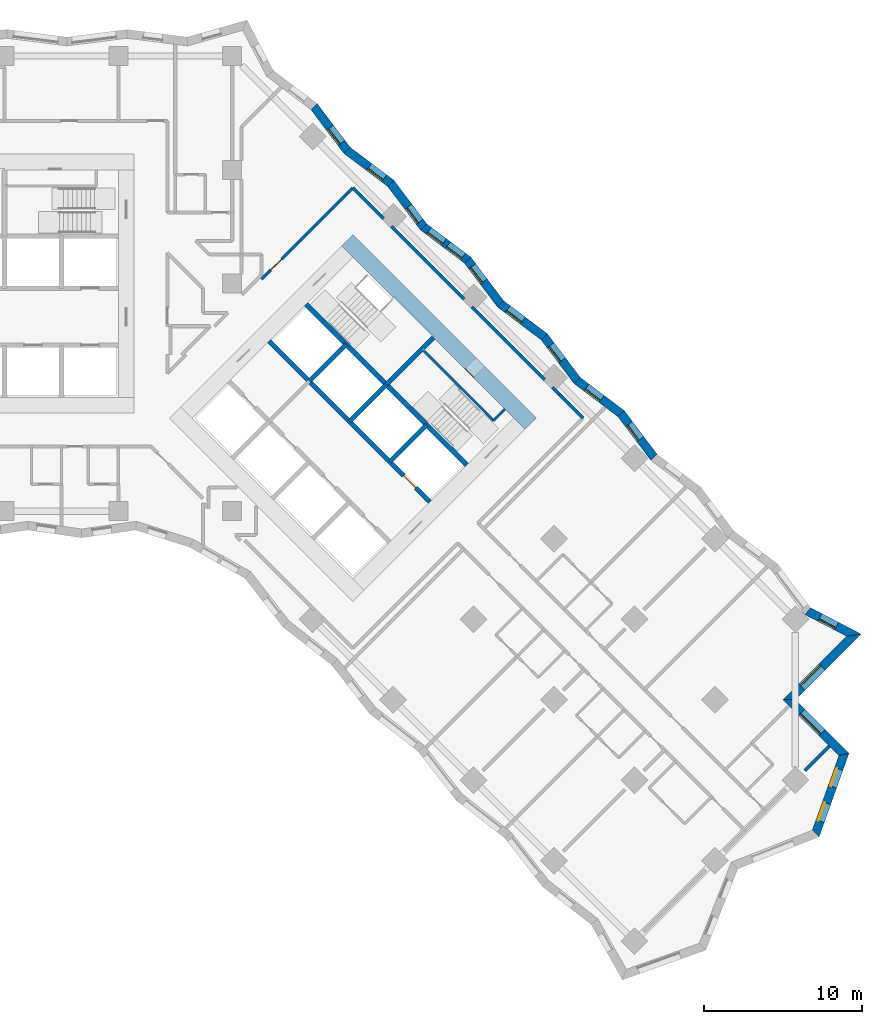
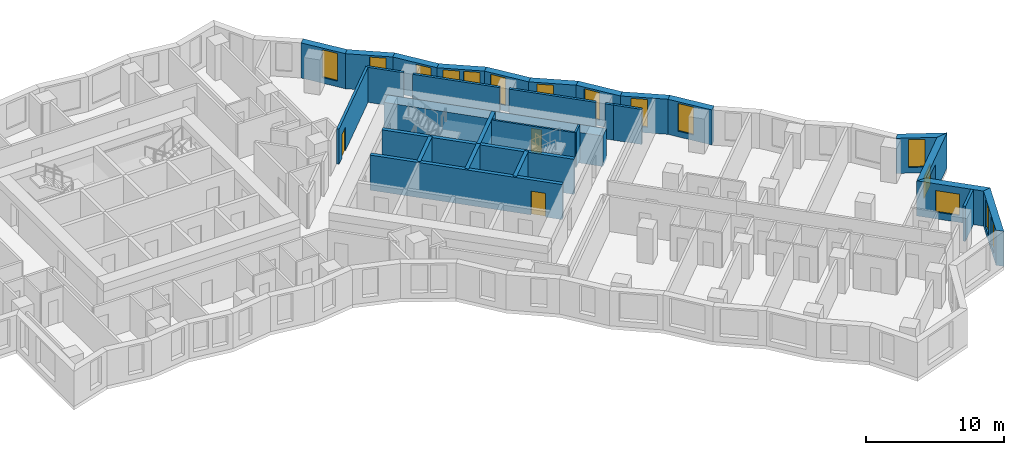
# One storey, part 9 of 12: 30 walls, 15 windows, 3 doors, 18 openings.
"""IFC4 building model written with IfcOpenShell, lengths in metres."""

from ifc_helpers import new_model, si_unit, direction, frame, frame_2d, origin, place, context, subcontext, project, spatial, polyline, rectangle, outline, extrude, material, layer, layer_set, type_object, element, fill, save


model = new_model("IFC4")

# Units and contexts
model_context = context("Model", 3, precision=1e-05, world=origin(), true_north=direction((0.0, 1.0)))
body_context = subcontext(model_context, "Body", "Model", "MODEL_VIEW")
ifc_project = project(units=[si_unit("LENGTHUNIT", "METRE"), si_unit("AREAUNIT", "SQUARE_METRE"), si_unit("VOLUMEUNIT", "CUBIC_METRE"), si_unit("PLANEANGLEUNIT", "RADIAN"), si_unit("MASSUNIT", "GRAM", prefix="KILO")], contexts=[model_context])

# Site, building, storey
site_placement = place(None, origin())
site = spatial("IfcSite", under=ifc_project, at=site_placement, CompositionType="ELEMENT")
building_placement = place(site_placement, origin())
building = spatial("IfcBuilding", under=site, at=building_placement, Name="Windrow Commons", CompositionType="ELEMENT")
storey_placement = place(building_placement, frame((0.0, 0.0, 47.4)))
storey = spatial("IfcBuildingStorey", under=building, at=storey_placement, Name="L12", CompositionType="ELEMENT", Elevation=47.4)

# Wall, openings, windows
ifc_material_1 = material(Name="Brick masonry, red clay brick", Category="masonry")
ifc_layer_1 = layer(ifc_material_1, 0.55)
ifc_layer_set_1 = layer_set([ifc_layer_1], Name="Brick facade wall 550")
wall_type_1 = type_object("IfcWallType", Name="Brick facade wall 550", PredefinedType="SOLIDWALL", material=ifc_layer_set_1)
wall_1_placement = place(storey_placement, frame((116.127, 22.8041, 0.0), z_axis=(0.0, 0.0, 1.0), x_axis=(0.3366083403, 0.9416447447, 0.0)))
wall_1 = element("IfcWall", 1, at=wall_1_placement, inside=storey, type_object=wall_type_1, Name="Brick facade wall L12 4", PredefinedType="SOLIDWALL", context=body_context, shape_type="SweptSolid", body=[
    extrude(outline(polyline([(-0.1247, -0.275), (5.4851, -0.275), (5.1369, 0.275), (0.1247, 0.275), (-0.1247, -0.275)])), origin(), (0.0, 0.0, 1.0), 3.1),
])
opening_1_placement = place(wall_1_placement, frame((0.8346, 0.0, 0.5)))
opening_1 = element("IfcOpeningElement", 2, at=opening_1_placement, cuts=wall_1, Name="Opening W7D", PredefinedType="OPENING", context=body_context, shape_type="SweptSolid", body=[
    extrude(rectangle(XDim=1.2, YDim=2.45, at=frame_2d((0.6, 1.225))), frame((0.0, 0.285, 0.0), z_axis=(0.0, -1.0, 0.0), x_axis=(1.0, 0.0, 0.0)), (0.0, 0.0, 1.0), 0.57),
])
opening_2_placement = place(wall_1_placement, frame((3.1407, 0.0, 0.5)))
opening_2 = element("IfcOpeningElement", 3, at=opening_2_placement, cuts=wall_1, Name="Opening W7D", PredefinedType="OPENING", context=body_context, shape_type="SweptSolid", body=[
    extrude(rectangle(XDim=1.2, YDim=2.45, at=frame_2d((0.6, 1.225))), frame((0.0, 0.285, 0.0), z_axis=(0.0, -1.0, 0.0), x_axis=(1.0, 0.0, 0.0)), (0.0, 0.0, 1.0), 0.57),
])
ifc_material_2 = material(Name="Clear float glass in anodised aluminium frame", Category="aluminium")
window_type_1 = type_object("IfcWindowType", Name="Window W7 notch 1200x2450", PartitioningType="SINGLE_PANEL", PredefinedType="WINDOW", material=ifc_material_2)
window_1_placement = place(opening_1_placement, origin())
window_1 = element("IfcWindow", 4, at=window_1_placement, inside=storey, type_object=window_type_1, Name="Window L12 4.1", OverallHeight=2.45, OverallWidth=1.2, PartitioningType="SINGLE_PANEL", PredefinedType="WINDOW", context=body_context, shape_type="SweptSolid", body=[
    extrude(rectangle(XDim=1.2, YDim=2.45, at=frame_2d((0.6, 1.225))), frame((0.0, 0.155, 0.0), z_axis=(0.0, -1.0, 0.0), x_axis=(1.0, 0.0, 0.0)), (0.0, 0.0, 1.0), 0.06),
])
fill(opening_1, window_1)
window_2_placement = place(opening_2_placement, origin())
window_2 = element("IfcWindow", 5, at=window_2_placement, inside=storey, type_object=window_type_1, Name="Window L12 4.2", OverallHeight=2.45, OverallWidth=1.2, PartitioningType="SINGLE_PANEL", PredefinedType="WINDOW", context=body_context, shape_type="SweptSolid", body=[
    extrude(rectangle(XDim=1.2, YDim=2.45, at=frame_2d((0.6, 1.225))), frame((0.0, 0.155, 0.0), z_axis=(0.0, -1.0, 0.0), x_axis=(1.0, 0.0, 0.0)), (0.0, 0.0, 1.0), 0.06),
])
fill(opening_2, window_2)

# Wall, opening, window
wall_2_placement = place(storey_placement, frame((117.9147, 27.8051, 0.0), z_axis=(0.0, 0.0, 1.0), x_axis=(-0.7070965789, 0.7071169833, 0.0)))
wall_2 = element("IfcWall", 6, at=wall_2_placement, inside=storey, type_object=wall_type_1, Name="Brick facade wall L12 5", PredefinedType="SOLIDWALL", context=body_context, shape_type="SweptSolid", body=[
    extrude(outline(polyline([(-0.1741, -0.275), (4.6259, -0.275), (5.1759, 0.275), (0.1741, 0.275), (-0.1741, -0.275)])), origin(), (0.0, 0.0, 1.0), 3.1),
])
opening_3_placement = place(wall_2_placement, frame((1.9634, 0.0, 0.6)))
opening_3 = element("IfcOpeningElement", 7, at=opening_3_placement, cuts=wall_2, Name="Opening W1L", PredefinedType="OPENING", context=body_context, shape_type="SweptSolid", body=[
    extrude(rectangle(XDim=1.8, YDim=1.9, at=frame_2d((0.9, 0.95))), frame((0.0, 0.285, 0.0), z_axis=(0.0, -1.0, 0.0), x_axis=(1.0, 0.0, 0.0)), (0.0, 0.0, 1.0), 0.57),
])
ifc_material_3 = material(Name="Clear float glass in anodised aluminium frame", Category="aluminium")
window_type_2 = type_object("IfcWindowType", Name="Window W1L bedroom 1800x1900", PartitioningType="SINGLE_PANEL", PredefinedType="WINDOW", material=ifc_material_3)
window_3_placement = place(opening_3_placement, origin())
window_3 = element("IfcWindow", 8, at=window_3_placement, inside=storey, type_object=window_type_2, Name="Window L12 5.1", OverallHeight=1.9, OverallWidth=1.8, PartitioningType="SINGLE_PANEL", PredefinedType="WINDOW", context=body_context, shape_type="SweptSolid", body=[
    extrude(rectangle(XDim=1.8, YDim=1.9, at=frame_2d((0.9, 0.95))), frame((0.0, 0.155, 0.0), z_axis=(0.0, -1.0, 0.0), x_axis=(1.0, 0.0, 0.0)), (0.0, 0.0, 1.0), 0.06),
])
fill(opening_3, window_3)

wall_3_placement = place(storey_placement, frame((114.4493, 31.2706, 0.0), z_axis=(0.0, 0.0, 1.0), x_axis=(0.7070981337, 0.7071154285, 0.0)))
wall_3 = element("IfcWall", 9, at=wall_3_placement, inside=storey, type_object=wall_type_1, Name="Brick facade wall L12 6", PredefinedType="SOLIDWALL", context=body_context, shape_type="SweptSolid", body=[
    extrude(outline(polyline([(0.275, -0.275), (6.157, -0.275), (5.4071, 0.275), (-0.275, 0.275), (0.275, -0.275)])), origin(), (0.0, 0.0, 1.0), 3.1),
])
opening_4_placement = place(wall_3_placement, frame((1.1375, 0.0, 0.6)))
opening_4 = element("IfcOpeningElement", 10, at=opening_4_placement, cuts=wall_3, Name="Opening W1L", PredefinedType="OPENING", context=body_context, shape_type="SweptSolid", body=[
    extrude(rectangle(XDim=1.8, YDim=1.9, at=frame_2d((0.9, 0.95))), frame((0.0, 0.285, 0.0), z_axis=(0.0, -1.0, 0.0), x_axis=(1.0, 0.0, 0.0)), (0.0, 0.0, 1.0), 0.57),
])
window_4_placement = place(opening_4_placement, origin())
window_4 = element("IfcWindow", 11, at=window_4_placement, inside=storey, type_object=window_type_2, Name="Window L12 6.1", OverallHeight=1.9, OverallWidth=1.8, PartitioningType="SINGLE_PANEL", PredefinedType="WINDOW", context=body_context, shape_type="SweptSolid", body=[
    extrude(rectangle(XDim=1.8, YDim=1.9, at=frame_2d((0.9, 0.95))), frame((0.0, 0.155, 0.0), z_axis=(0.0, -1.0, 0.0), x_axis=(1.0, 0.0, 0.0)), (0.0, 0.0, 1.0), 0.06),
])
fill(opening_4, window_4)

wall_4_placement = place(storey_placement, frame((118.5378, 35.3592, 0.0), z_axis=(0.0, 0.0, 1.0), x_axis=(-0.8869138246, 0.4619349173, 0.0)))
wall_4 = element("IfcWall", 12, at=wall_4_placement, inside=storey, type_object=wall_type_1, Name="Brick facade wall L12 7", PredefinedType="SOLIDWALL", context=body_context, shape_type="SweptSolid", body=[
    extrude(outline(polyline([(-0.375, -0.275), (3.2255, -0.275), (3.3499, 0.275), (0.375, 0.275), (-0.375, -0.275)])), origin(), (0.0, 0.0, 1.0), 3.1),
])
opening_5_placement = place(wall_4_placement, frame((1.2313, 0.0, 0.5)))
opening_5 = element("IfcOpeningElement", 13, at=opening_5_placement, cuts=wall_4, Name="Opening W7D", PredefinedType="OPENING", context=body_context, shape_type="SweptSolid", body=[
    extrude(rectangle(XDim=1.2, YDim=2.45, at=frame_2d((0.6, 1.225))), frame((0.0, 0.285, 0.0), z_axis=(0.0, -1.0, 0.0), x_axis=(1.0, 0.0, 0.0)), (0.0, 0.0, 1.0), 0.57),
])
window_5_placement = place(opening_5_placement, origin())
window_5 = element("IfcWindow", 14, at=window_5_placement, inside=storey, type_object=window_type_1, Name="Window L12 7.1", OverallHeight=2.45, OverallWidth=1.2, PartitioningType="SINGLE_PANEL", PredefinedType="WINDOW", context=body_context, shape_type="SweptSolid", body=[
    extrude(rectangle(XDim=1.2, YDim=2.45, at=frame_2d((0.6, 1.225))), frame((0.0, 0.155, 0.0), z_axis=(0.0, -1.0, 0.0), x_axis=(1.0, 0.0, 0.0)), (0.0, 0.0, 1.0), 0.06),
])
fill(opening_5, window_5)

wall_5_placement = place(storey_placement, frame((105.8946, 46.6097, 0.0), z_axis=(0.0, 0.0, 1.0), x_axis=(-0.6019499233, 0.7985338376, 0.0)))
wall_5 = element("IfcWall", 15, at=wall_5_placement, inside=storey, type_object=wall_type_1, Name="Brick facade wall L12 12", PredefinedType="SOLIDWALL", context=body_context, shape_type="SweptSolid", body=[
    extrude(outline(polyline([(0.0386, -0.275), (3.5063, -0.275), (3.4291, 0.275), (-0.0386, 0.275), (0.0386, -0.275)])), origin(), (0.0, 0.0, 1.0), 3.1),
])
opening_6_placement = place(wall_5_placement, frame((1.4334, 0.0, 0.5)))
opening_6 = element("IfcOpeningElement", 16, at=opening_6_placement, cuts=wall_5, Name="Opening W7D", PredefinedType="OPENING", context=body_context, shape_type="SweptSolid", body=[
    extrude(rectangle(XDim=1.2, YDim=2.45, at=frame_2d((0.6, 1.225))), frame((0.0, 0.285, 0.0), z_axis=(0.0, -1.0, 0.0), x_axis=(1.0, 0.0, 0.0)), (0.0, 0.0, 1.0), 0.57),
])
window_6_placement = place(opening_6_placement, origin())
window_6 = element("IfcWindow", 17, at=window_6_placement, inside=storey, type_object=window_type_1, Name="Window L12 12.1", OverallHeight=2.45, OverallWidth=1.2, PartitioningType="SINGLE_PANEL", PredefinedType="WINDOW", context=body_context, shape_type="SweptSolid", body=[
    extrude(rectangle(XDim=1.2, YDim=2.45, at=frame_2d((0.6, 1.225))), frame((0.0, 0.155, 0.0), z_axis=(0.0, -1.0, 0.0), x_axis=(1.0, 0.0, 0.0)), (0.0, 0.0, 1.0), 0.06),
])
fill(opening_6, window_6)

wall_6_placement = place(storey_placement, frame((103.8072, 49.3788, 0.0), z_axis=(0.0, 0.0, 1.0), x_axis=(-0.7985338376, 0.6019499233, 0.0)))
wall_6 = element("IfcWall", 18, at=wall_6_placement, inside=storey, type_object=wall_type_1, Name="Brick facade wall L12 13", PredefinedType="SOLIDWALL", context=body_context, shape_type="SweptSolid", body=[
    extrude(outline(polyline([(-0.0386, -0.275), (3.4291, -0.275), (3.5063, 0.275), (0.0386, 0.275), (-0.0386, -0.275)])), origin(), (0.0, 0.0, 1.0), 3.1),
])
opening_7_placement = place(wall_6_placement, frame((1.5365, 0.0, 0.5)))
opening_7 = element("IfcOpeningElement", 19, at=opening_7_placement, cuts=wall_6, Name="Opening W7D", PredefinedType="OPENING", context=body_context, shape_type="SweptSolid", body=[
    extrude(rectangle(XDim=1.2, YDim=2.45, at=frame_2d((0.6, 1.225))), frame((0.0, 0.285, 0.0), z_axis=(0.0, -1.0, 0.0), x_axis=(1.0, 0.0, 0.0)), (0.0, 0.0, 1.0), 0.57),
])
window_7_placement = place(opening_7_placement, origin())
window_7 = element("IfcWindow", 20, at=window_7_placement, inside=storey, type_object=window_type_1, Name="Window L12 13.1", OverallHeight=2.45, OverallWidth=1.2, PartitioningType="SINGLE_PANEL", PredefinedType="WINDOW", context=body_context, shape_type="SweptSolid", body=[
    extrude(rectangle(XDim=1.2, YDim=2.45, at=frame_2d((0.6, 1.225))), frame((0.0, 0.155, 0.0), z_axis=(0.0, -1.0, 0.0), x_axis=(1.0, 0.0, 0.0)), (0.0, 0.0, 1.0), 0.06),
])
fill(opening_7, window_7)

wall_7_placement = place(storey_placement, frame((101.0381, 51.4662, 0.0), z_axis=(0.0, 0.0, 1.0), x_axis=(-0.6019499233, 0.7985338376, 0.0)))
wall_7 = element("IfcWall", 21, at=wall_7_placement, inside=storey, type_object=wall_type_1, Name="Brick facade wall L12 14", PredefinedType="SOLIDWALL", context=body_context, shape_type="SweptSolid", body=[
    extrude(outline(polyline([(0.0386, -0.275), (3.5063, -0.275), (3.4291, 0.275), (-0.0386, 0.275), (0.0386, -0.275)])), origin(), (0.0, 0.0, 1.0), 3.1),
])
opening_8_placement = place(wall_7_placement, frame((1.601, 0.0, 0.5)))
opening_8 = element("IfcOpeningElement", 22, at=opening_8_placement, cuts=wall_7, Name="Opening W7D", PredefinedType="OPENING", context=body_context, shape_type="SweptSolid", body=[
    extrude(rectangle(XDim=1.2, YDim=2.45, at=frame_2d((0.6, 1.225))), frame((0.0, 0.285, 0.0), z_axis=(0.0, -1.0, 0.0), x_axis=(1.0, 0.0, 0.0)), (0.0, 0.0, 1.0), 0.57),
])
window_8_placement = place(opening_8_placement, origin())
window_8 = element("IfcWindow", 23, at=window_8_placement, inside=storey, type_object=window_type_1, Name="Window L12 14.1", OverallHeight=2.45, OverallWidth=1.2, PartitioningType="SINGLE_PANEL", PredefinedType="WINDOW", context=body_context, shape_type="SweptSolid", body=[
    extrude(rectangle(XDim=1.2, YDim=2.45, at=frame_2d((0.6, 1.225))), frame((0.0, 0.155, 0.0), z_axis=(0.0, -1.0, 0.0), x_axis=(1.0, 0.0, 0.0)), (0.0, 0.0, 1.0), 0.06),
])
fill(opening_8, window_8)

wall_8_placement = place(storey_placement, frame((98.9507, 54.2353, 0.0), z_axis=(0.0, 0.0, 1.0), x_axis=(-0.7985199762, 0.6019683111, 0.0)))
wall_8 = element("IfcWall", 24, at=wall_8_placement, inside=storey, type_object=wall_type_1, Name="Brick facade wall L12 15", PredefinedType="SOLIDWALL", context=body_context, shape_type="SweptSolid", body=[
    extrude(outline(polyline([(-0.0386, -0.275), (3.4291, -0.275), (3.5063, 0.275), (0.0386, 0.275), (-0.0386, -0.275)])), origin(), (0.0, 0.0, 1.0), 3.1),
])
opening_9_placement = place(wall_8_placement, frame((1.7041, 0.0, 0.5)))
opening_9 = element("IfcOpeningElement", 25, at=opening_9_placement, cuts=wall_8, Name="Opening W7D", PredefinedType="OPENING", context=body_context, shape_type="SweptSolid", body=[
    extrude(rectangle(XDim=1.2, YDim=2.45, at=frame_2d((0.6, 1.225))), frame((0.0, 0.285, 0.0), z_axis=(0.0, -1.0, 0.0), x_axis=(1.0, 0.0, 0.0)), (0.0, 0.0, 1.0), 0.57),
])
window_9_placement = place(opening_9_placement, origin())
window_9 = element("IfcWindow", 26, at=window_9_placement, inside=storey, type_object=window_type_1, Name="Window L12 15.1", OverallHeight=2.45, OverallWidth=1.2, PartitioningType="SINGLE_PANEL", PredefinedType="WINDOW", context=body_context, shape_type="SweptSolid", body=[
    extrude(rectangle(XDim=1.2, YDim=2.45, at=frame_2d((0.6, 1.225))), frame((0.0, 0.155, 0.0), z_axis=(0.0, -1.0, 0.0), x_axis=(1.0, 0.0, 0.0)), (0.0, 0.0, 1.0), 0.06),
])
fill(opening_9, window_9)

wall_9_placement = place(storey_placement, frame((96.1816, 56.3228, 0.0), z_axis=(0.0, 0.0, 1.0), x_axis=(-0.601963785, 0.7985233882, 0.0)))
wall_9 = element("IfcWall", 27, at=wall_9_placement, inside=storey, type_object=wall_type_1, Name="Brick facade wall L12 16", PredefinedType="SOLIDWALL", context=body_context, shape_type="SweptSolid", body=[
    extrude(outline(polyline([(0.0386, -0.275), (3.5063, -0.275), (3.4291, 0.275), (-0.0386, 0.275), (0.0386, -0.275)])), origin(), (0.0, 0.0, 1.0), 3.1),
])
opening_10_placement = place(wall_9_placement, frame((1.7685, 0.0, 0.5)))
opening_10 = element("IfcOpeningElement", 28, at=opening_10_placement, cuts=wall_9, Name="Opening W7D", PredefinedType="OPENING", context=body_context, shape_type="SweptSolid", body=[
    extrude(rectangle(XDim=1.2, YDim=2.45, at=frame_2d((0.6, 1.225))), frame((0.0, 0.285, 0.0), z_axis=(0.0, -1.0, 0.0), x_axis=(1.0, 0.0, 0.0)), (0.0, 0.0, 1.0), 0.57),
])
window_10_placement = place(opening_10_placement, origin())
window_10 = element("IfcWindow", 29, at=window_10_placement, inside=storey, type_object=window_type_1, Name="Window L12 16.1", OverallHeight=2.45, OverallWidth=1.2, PartitioningType="SINGLE_PANEL", PredefinedType="WINDOW", context=body_context, shape_type="SweptSolid", body=[
    extrude(rectangle(XDim=1.2, YDim=2.45, at=frame_2d((0.6, 1.225))), frame((0.0, 0.155, 0.0), z_axis=(0.0, -1.0, 0.0), x_axis=(1.0, 0.0, 0.0)), (0.0, 0.0, 1.0), 0.06),
])
fill(opening_10, window_10)

# Wall, openings, windows
wall_10_placement = place(storey_placement, frame((94.0942, 59.0918, 0.0), z_axis=(0.0, 0.0, 1.0), x_axis=(-0.7985199762, 0.6019683111, 0.0)))
wall_10 = element("IfcWall", 30, at=wall_10_placement, inside=storey, type_object=wall_type_1, Name="Brick facade wall L12 17", PredefinedType="SOLIDWALL", context=body_context, shape_type="SweptSolid", body=[
    extrude(outline(polyline([(-0.0386, -0.275), (3.4291, -0.275), (3.5063, 0.275), (0.0386, 0.275), (-0.0386, -0.275)])), origin(), (0.0, 0.0, 1.0), 3.1),
])
opening_11_placement = place(wall_10_placement, frame((0.357, 0.0, 0.5)))
opening_11 = element("IfcOpeningElement", 31, at=opening_11_placement, cuts=wall_10, Name="Opening W7D", PredefinedType="OPENING", context=body_context, shape_type="SweptSolid", body=[
    extrude(rectangle(XDim=1.2, YDim=2.45, at=frame_2d((0.6, 1.225))), frame((0.0, 0.285, 0.0), z_axis=(0.0, -1.0, 0.0), x_axis=(1.0, 0.0, 0.0)), (0.0, 0.0, 1.0), 0.57),
])
opening_12_placement = place(wall_10_placement, frame((1.8716, 0.0, 0.5)))
opening_12 = element("IfcOpeningElement", 32, at=opening_12_placement, cuts=wall_10, Name="Opening W7D", PredefinedType="OPENING", context=body_context, shape_type="SweptSolid", body=[
    extrude(rectangle(XDim=1.2, YDim=2.45, at=frame_2d((0.6, 1.225))), frame((0.0, 0.285, 0.0), z_axis=(0.0, -1.0, 0.0), x_axis=(1.0, 0.0, 0.0)), (0.0, 0.0, 1.0), 0.57),
])
window_11_placement = place(opening_11_placement, origin())
window_11 = element("IfcWindow", 33, at=window_11_placement, inside=storey, type_object=window_type_1, Name="Window L12 17.1", OverallHeight=2.45, OverallWidth=1.2, PartitioningType="SINGLE_PANEL", PredefinedType="WINDOW", context=body_context, shape_type="SweptSolid", body=[
    extrude(rectangle(XDim=1.2, YDim=2.45, at=frame_2d((0.6, 1.225))), frame((0.0, 0.155, 0.0), z_axis=(0.0, -1.0, 0.0), x_axis=(1.0, 0.0, 0.0)), (0.0, 0.0, 1.0), 0.06),
])
fill(opening_11, window_11)
window_12_placement = place(opening_12_placement, origin())
window_12 = element("IfcWindow", 34, at=window_12_placement, inside=storey, type_object=window_type_1, Name="Window L12 17.2", OverallHeight=2.45, OverallWidth=1.2, PartitioningType="SINGLE_PANEL", PredefinedType="WINDOW", context=body_context, shape_type="SweptSolid", body=[
    extrude(rectangle(XDim=1.2, YDim=2.45, at=frame_2d((0.6, 1.225))), frame((0.0, 0.155, 0.0), z_axis=(0.0, -1.0, 0.0), x_axis=(1.0, 0.0, 0.0)), (0.0, 0.0, 1.0), 0.06),
])
fill(opening_12, window_12)

# Wall, opening, window
wall_11_placement = place(storey_placement, frame((91.3251, 61.1793, 0.0), z_axis=(0.0, 0.0, 1.0), x_axis=(-0.6019499233, 0.7985338376, 0.0)))
wall_11 = element("IfcWall", 35, at=wall_11_placement, inside=storey, type_object=wall_type_1, Name="Brick facade wall L12 18", PredefinedType="SOLIDWALL", context=body_context, shape_type="SweptSolid", body=[
    extrude(outline(polyline([(0.0386, -0.275), (3.5063, -0.275), (3.4291, 0.275), (-0.0386, 0.275), (0.0386, -0.275)])), origin(), (0.0, 0.0, 1.0), 3.1),
])
opening_13_placement = place(wall_11_placement, frame((0.4215, 0.0, 0.5)))
opening_13 = element("IfcOpeningElement", 36, at=opening_13_placement, cuts=wall_11, Name="Opening W7D", PredefinedType="OPENING", context=body_context, shape_type="SweptSolid", body=[
    extrude(rectangle(XDim=1.2, YDim=2.45, at=frame_2d((0.6, 1.225))), frame((0.0, 0.285, 0.0), z_axis=(0.0, -1.0, 0.0), x_axis=(1.0, 0.0, 0.0)), (0.0, 0.0, 1.0), 0.57),
])
window_13_placement = place(opening_13_placement, origin())
window_13 = element("IfcWindow", 37, at=window_13_placement, inside=storey, type_object=window_type_1, Name="Window L12 18.1", OverallHeight=2.45, OverallWidth=1.2, PartitioningType="SINGLE_PANEL", PredefinedType="WINDOW", context=body_context, shape_type="SweptSolid", body=[
    extrude(rectangle(XDim=1.2, YDim=2.45, at=frame_2d((0.6, 1.225))), frame((0.0, 0.155, 0.0), z_axis=(0.0, -1.0, 0.0), x_axis=(1.0, 0.0, 0.0)), (0.0, 0.0, 1.0), 0.06),
])
fill(opening_13, window_13)

wall_12_placement = place(storey_placement, frame((89.2377, 63.9484, 0.0), z_axis=(0.0, 0.0, 1.0), x_axis=(-0.7985338376, 0.6019499233, 0.0)))
wall_12 = element("IfcWall", 38, at=wall_12_placement, inside=storey, type_object=wall_type_1, Name="Brick facade wall L12 19", PredefinedType="SOLIDWALL", context=body_context, shape_type="SweptSolid", body=[
    extrude(outline(polyline([(-0.0386, -0.275), (3.4291, -0.275), (3.5063, 0.275), (0.0386, 0.275), (-0.0386, -0.275)])), origin(), (0.0, 0.0, 1.0), 3.1),
])
opening_14_placement = place(wall_12_placement, frame((0.5246, 0.0, 0.5)))
opening_14 = element("IfcOpeningElement", 39, at=opening_14_placement, cuts=wall_12, Name="Opening W7D", PredefinedType="OPENING", context=body_context, shape_type="SweptSolid", body=[
    extrude(rectangle(XDim=1.2, YDim=2.45, at=frame_2d((0.6, 1.225))), frame((0.0, 0.285, 0.0), z_axis=(0.0, -1.0, 0.0), x_axis=(1.0, 0.0, 0.0)), (0.0, 0.0, 1.0), 0.57),
])
window_14_placement = place(opening_14_placement, origin())
window_14 = element("IfcWindow", 40, at=window_14_placement, inside=storey, type_object=window_type_1, Name="Window L12 19.1", OverallHeight=2.45, OverallWidth=1.2, PartitioningType="SINGLE_PANEL", PredefinedType="WINDOW", context=body_context, shape_type="SweptSolid", body=[
    extrude(rectangle(XDim=1.2, YDim=2.45, at=frame_2d((0.6, 1.225))), frame((0.0, 0.155, 0.0), z_axis=(0.0, -1.0, 0.0), x_axis=(1.0, 0.0, 0.0)), (0.0, 0.0, 1.0), 0.06),
])
fill(opening_14, window_14)

wall_13_placement = place(storey_placement, frame((86.4686, 66.0358, 0.0), z_axis=(0.0, 0.0, 1.0), x_axis=(-0.6019499233, 0.7985338376, 0.0)))
wall_13 = element("IfcWall", 41, at=wall_13_placement, inside=storey, type_object=wall_type_1, Name="Brick facade wall L12 20", PredefinedType="SOLIDWALL", context=body_context, shape_type="SweptSolid", body=[
    extrude(outline(polyline([(0.0386, -0.275), (3.5063, -0.275), (3.4291, 0.275), (-0.0386, 0.275), (0.0386, -0.275)])), origin(), (0.0, 0.0, 1.0), 3.1),
])
opening_15_placement = place(wall_13_placement, frame((0.5891, 0.0, 0.5)))
opening_15 = element("IfcOpeningElement", 42, at=opening_15_placement, cuts=wall_13, Name="Opening W7D", PredefinedType="OPENING", context=body_context, shape_type="SweptSolid", body=[
    extrude(rectangle(XDim=1.2, YDim=2.45, at=frame_2d((0.6, 1.225))), frame((0.0, 0.285, 0.0), z_axis=(0.0, -1.0, 0.0), x_axis=(1.0, 0.0, 0.0)), (0.0, 0.0, 1.0), 0.57),
])
window_15_placement = place(opening_15_placement, origin())
window_15 = element("IfcWindow", 43, at=window_15_placement, inside=storey, type_object=window_type_1, Name="Window L12 20.1", OverallHeight=2.45, OverallWidth=1.2, PartitioningType="SINGLE_PANEL", PredefinedType="WINDOW", context=body_context, shape_type="SweptSolid", body=[
    extrude(rectangle(XDim=1.2, YDim=2.45, at=frame_2d((0.6, 1.225))), frame((0.0, 0.155, 0.0), z_axis=(0.0, -1.0, 0.0), x_axis=(1.0, 0.0, 0.0)), (0.0, 0.0, 1.0), 0.06),
])
fill(opening_15, window_15)

# Wall, opening, door
ifc_material_4 = material(Name="Blockwork partition", Category="masonry")
ifc_layer_2 = layer(ifc_material_4, 0.2)
ifc_layer_set_2 = layer_set([ifc_layer_2], Name="IW-CORRIDOR-200")
wall_type_2 = type_object("IfcWallType", Name="IW-CORRIDOR-200", PredefinedType="PARTITIONING", material=ifc_layer_set_2)
wall_14_placement = place(storey_placement, frame((81.0515, 57.8725, 0.0), z_axis=(0.0, 0.0, 1.0), x_axis=(0.7071067812, 0.7071067812, 0.0)))
wall_14 = element("IfcWall", 44, at=wall_14_placement, inside=storey, type_object=wall_type_2, Name="W-L12-W019", PredefinedType="PARTITIONING", context=body_context, shape_type="SweptSolid", body=[
    extrude(rectangle(XDim=8.1798, YDim=0.2, at=frame_2d((4.0899, 0.0))), origin(), (0.0, 0.0, 1.0), 3.1),
])
opening_16_placement = place(wall_14_placement, frame((0.8234, 0.0, 0.0)))
opening_16 = element("IfcOpeningElement", 45, at=opening_16_placement, cuts=wall_14, Name="Opening D310F", PredefinedType="OPENING", context=body_context, shape_type="SweptSolid", body=[
    extrude(rectangle(XDim=1.0, YDim=2.1, at=frame_2d((0.5, 1.05))), frame((0.0, 0.11, 0.0), z_axis=(0.0, -1.0, 0.0), x_axis=(1.0, 0.0, 0.0)), (0.0, 0.0, 1.0), 0.22),
])
ifc_material_5 = material(Name="Timber door leaf", Category="wood")
door_type_1 = type_object("IfcDoorType", Name="DT-AMENITY-1000", OperationType="SINGLE_SWING_LEFT", PredefinedType="DOOR", material=ifc_material_5)
door_1_placement = place(opening_16_placement, origin())
door_1 = element("IfcDoor", 46, at=door_1_placement, inside=storey, type_object=door_type_1, Name="D-L12-D032", OperationType="SINGLE_SWING_RIGHT", OverallHeight=2.1, OverallWidth=1.0, PredefinedType="DOOR", context=body_context, shape_type="SweptSolid", body=[
    extrude(rectangle(XDim=1.0, YDim=2.1, at=frame_2d((0.5, 1.05))), frame((0.0, 0.025, 0.0), z_axis=(0.0, -1.0, 0.0), x_axis=(1.0, 0.0, 0.0)), (0.0, 0.0, 1.0), 0.05),
])
fill(opening_16, door_1)

# Walls
wall_15_placement = place(storey_placement, frame((89.2712, 61.2152, 0.0), z_axis=(0.0, 0.0, 1.0), x_axis=(0.7071067812, -0.7071067812, 0.0)))
element("IfcWall", 47, at=wall_15_placement, inside=storey, type_object=wall_type_2, Name="W-L12-W023", PredefinedType="PARTITIONING", context=body_context, shape_type="SweptSolid", body=[
    extrude(rectangle(XDim=6.5054, YDim=0.2, at=frame_2d((3.2527, 0.0))), origin(), (0.0, 0.0, 1.0), 3.1),
])
wall_16_placement = place(storey_placement, frame((94.3632, 56.1232, 0.0), z_axis=(0.0, 0.0, 1.0), x_axis=(0.7071067812, -0.7071067812, 0.0)))
element("IfcWall", 48, at=wall_16_placement, inside=storey, type_object=wall_type_2, Name="W-L12-W024", PredefinedType="PARTITIONING", context=body_context, shape_type="SweptSolid", body=[
    extrude(rectangle(XDim=6.5026, YDim=0.2, at=frame_2d((3.2513, 0.0))), origin(), (0.0, 0.0, 1.0), 3.1),
])
wall_17_placement = place(storey_placement, frame((86.8413, 63.6593, 0.0), z_axis=(0.0, 0.0, 1.0), x_axis=(0.7067795096, -0.7074339014, 0.0)))
element("IfcWall", 49, at=wall_17_placement, inside=storey, type_object=wall_type_2, Name="W-L12-W057", PredefinedType="PARTITIONING", context=body_context, shape_type="SweptSolid", body=[
    extrude(rectangle(XDim=2.7506, YDim=0.2, at=frame_2d((1.3753, 0.0))), origin(), (0.0, 0.0, 1.0), 3.1),
])
wall_18_placement = place(storey_placement, frame((99.9177, 50.5737, 0.0), z_axis=(0.0, 0.0, 1.0), x_axis=(0.7075827869, -0.7066304548, 0.0)))
element("IfcWall", 50, at=wall_18_placement, inside=storey, type_object=wall_type_2, Name="W-L12-W098", PredefinedType="PARTITIONING", context=body_context, shape_type="SweptSolid", body=[
    extrude(rectangle(XDim=2.1001, YDim=0.2, at=frame_2d((1.05, 0.0))), origin(), (0.0, 0.0, 1.0), 3.1),
])
wall_19_placement = place(storey_placement, frame((99.4532, 51.0332, 0.0), z_axis=(0.0, 0.0, 1.0), x_axis=(0.7071067812, -0.7071067812, 0.0)))
element("IfcWall", 51, at=wall_19_placement, inside=storey, type_object=wall_type_2, Name="W-L12-W156", PredefinedType="PARTITIONING", context=body_context, shape_type="SweptSolid", body=[
    extrude(rectangle(XDim=0.6534, YDim=0.2, at=frame_2d((0.3267, 0.0))), origin(), (0.0, 0.0, 1.0), 3.1),
])
ifc_material_6 = material(Name="Blockwork partition", Category="masonry")
ifc_layer_3 = layer(ifc_material_6, 0.2)
ifc_layer_set_3 = layer_set([ifc_layer_3], Name="IW-PARTY-200")
wall_type_3 = type_object("IfcWallType", Name="IW-PARTY-200", PredefinedType="PARTITIONING", material=ifc_layer_set_3)
wall_20_placement = place(storey_placement, frame((115.4375, 26.7805, 0.0), z_axis=(0.0, 0.0, 1.0), x_axis=(0.7071067812, 0.7071067812, 0.0)))
element("IfcWall", 52, at=wall_20_placement, inside=storey, type_object=wall_type_3, Name="W-L12-W096", PredefinedType="PARTITIONING", context=body_context, shape_type="SweptSolid", body=[
    extrude(rectangle(XDim=2.2012, YDim=0.2, at=frame_2d((1.1006, 0.0))), origin(), (0.0, 0.0, 1.0), 3.1),
])

# Wall, opening, door
ifc_material_7 = material(Name="Concrete C60/75", Category="concrete")
ifc_layer_4 = layer(ifc_material_7, 1.0)
ifc_layer_set_4 = layer_set([ifc_layer_4], Name="RC CORE WALL 1000 C60/75")
wall_type_4 = type_object("IfcWallType", Name="RC CORE WALL 1000 C60/75", PredefinedType="SHEAR", material=ifc_layer_set_4)
wall_21_placement = place(storey_placement, frame((86.4832, 60.3327, -0.3), z_axis=(0.0, 0.0, 1.0), x_axis=(0.70710983, -0.7071037324, 0.0)))
wall_21 = element("IfcWall", 53, at=wall_21_placement, inside=storey, type_object=wall_type_4, Name="Core B wall outer-N", PredefinedType="SHEAR", context=body_context, shape_type="SweptSolid", body=[
    extrude(rectangle(XDim=16.4, YDim=1.0, at=frame_2d((8.2, 0.0))), origin(), (0.0, 0.0, 1.0), 2.7),
])
opening_17_placement = place(wall_21_placement, frame((11.0, 0.0, 0.3)))
opening_17 = element("IfcOpeningElement", 54, at=opening_17_placement, cuts=wall_21, Name="Opening D9", PredefinedType="OPENING", context=body_context, shape_type="SweptSolid", body=[
    extrude(rectangle(XDim=0.8, YDim=2.1, at=frame_2d((0.4, 1.05))), frame((0.0, 0.51, 0.0), z_axis=(0.0, -1.0, 0.0), x_axis=(1.0, 0.0, 0.0)), (0.0, 0.0, 1.0), 1.02),
])
ifc_material_8 = material(Name="Steel fire door leaf", Category="steel")
door_type_2 = type_object("IfcDoorType", Name="Riser access door 800", OperationType="SINGLE_SWING_LEFT", PredefinedType="DOOR", material=ifc_material_8)
door_2_placement = place(opening_17_placement, origin())
door_2 = element("IfcDoor", 55, at=door_2_placement, inside=storey, type_object=door_type_2, Name="Riser access door", OperationType="SINGLE_SWING_RIGHT", OverallHeight=2.1, OverallWidth=0.8, PredefinedType="DOOR", context=body_context, shape_type="SweptSolid", body=[
    extrude(rectangle(XDim=0.8, YDim=2.1, at=frame_2d((0.4, 1.05))), frame((0.0, -0.44, 0.0), z_axis=(0.0, -1.0, 0.0), x_axis=(1.0, 0.0, 0.0)), (0.0, 0.0, 1.0), 0.05),
])
fill(opening_17, door_2)

# Walls
ifc_material_9 = material(Name="Concrete C60/75", Category="concrete")
ifc_layer_5 = layer(ifc_material_9, 0.3)
ifc_layer_set_5 = layer_set([ifc_layer_5], Name="RC SHAFT WALL 300 C60/75")
wall_type_5 = type_object("IfcWallType", Name="RC SHAFT WALL 300 C60/75", PredefinedType="SOLIDWALL", material=ifc_layer_set_5)
wall_22_placement = place(storey_placement, frame((84.079, 51.4232, 0.0), z_axis=(0.0, 0.0, 1.0), x_axis=(0.7071219326, 0.7070916295, 0.0)))
element("IfcWall", 56, at=wall_22_placement, inside=storey, type_object=wall_type_5, Name="Core B wall shaft-N1", PredefinedType="SOLIDWALL", context=body_context, shape_type="SweptSolid", body=[
    extrude(rectangle(XDim=3.3, YDim=0.3, at=frame_2d((1.65, 0.0))), origin(), (0.0, 0.0, 1.0), 3.1),
])
for number, where, z_axis, x_axis, name in (
    (57, (86.6246, 48.8776, 0.0), (0.0, 0.0, 1.0), (0.7071067812, 0.7071067812, 0.0), "Core B wall shaft-N2"),
    (58, (89.1702, 46.332, 0.0), (0.0, 0.0, 1.0), (0.7071067812, 0.7071067812, 0.0), "Core B wall shaft-N3"),
):
    element("IfcWall", number, at=place(storey_placement, frame(where, z_axis=z_axis, x_axis=x_axis)), inside=storey, type_object=wall_type_5, Name=name, PredefinedType="SOLIDWALL", context=body_context, shape_type="SweptSolid", body=[
        extrude(rectangle(XDim=3.3001, YDim=0.3, at=frame_2d((1.6501, 0.0))), origin(), (0.0, 0.0, 1.0), 3.1),
    ])

# Wall, opening, door
wall_23_placement = place(storey_placement, frame((81.5335, 53.9688, 0.0), z_axis=(0.0, 0.0, 1.0), x_axis=(0.707103309, -0.7071102534, 0.0)))
wall_23 = element("IfcWall", 59, at=wall_23_placement, inside=storey, type_object=wall_type_5, Name="Core B wall lobby-N", PredefinedType="SOLIDWALL", context=body_context, shape_type="SweptSolid", body=[
    extrude(rectangle(XDim=14.4, YDim=0.3, at=frame_2d((7.2, 0.0))), origin(), (0.0, 0.0, 1.0), 3.1),
])
opening_18_placement = place(wall_23_placement, frame((12.05, 0.0, 0.0)))
opening_18 = element("IfcOpeningElement", 60, at=opening_18_placement, cuts=wall_23, Name="Opening LD", PredefinedType="OPENING", context=body_context, shape_type="SweptSolid", body=[
    extrude(rectangle(XDim=1.1, YDim=2.1, at=frame_2d((0.55, 1.05))), frame((0.0, 0.16, 0.0), z_axis=(0.0, -1.0, 0.0), x_axis=(1.0, 0.0, 0.0)), (0.0, 0.0, 1.0), 0.32),
])
ifc_material_10 = material(Name="Stainless steel door leaf", Category="steel")
door_type_3 = type_object("IfcDoorType", Name="Lift landing door 1100", OperationType="SLIDING_TO_LEFT", PredefinedType="DOOR", material=ifc_material_10)
door_3_placement = place(opening_18_placement, origin())
door_3 = element("IfcDoor", 61, at=door_3_placement, inside=storey, type_object=door_type_3, Name="Lift landing door", OperationType="SLIDING_TO_RIGHT", OverallHeight=2.1, OverallWidth=1.1, PredefinedType="DOOR", context=body_context, shape_type="SweptSolid", body=[
    extrude(rectangle(XDim=1.1, YDim=2.1, at=frame_2d((0.55, 1.05))), frame((0.0, 0.025, 0.0), z_axis=(0.0, -1.0, 0.0), x_axis=(1.0, 0.0, 0.0)), (0.0, 0.0, 1.0), 0.05),
])
fill(opening_18, door_3)

# Walls
for number, where, z_axis, x_axis, name in (
    (62, (83.8669, 56.3022, 0.0), (0.0, 0.0, 1.0), (0.7071137256, -0.7070998367, 0.0), "Core B wall stair-S"),
    (63, (88.9581, 51.2111, 0.0), (0.0, 0.0, 1.0), (0.7070998367, -0.7071137256, 0.0), "Core B wall stair-S2"),
):
    element("IfcWall", number, at=place(storey_placement, frame(where, z_axis=z_axis, x_axis=x_axis)), inside=storey, type_object=wall_type_5, Name=name, PredefinedType="SOLIDWALL", context=body_context, shape_type="SweptSolid", body=[
        extrude(rectangle(XDim=7.2, YDim=0.3, at=frame_2d((3.6, 0.0))), origin(), (0.0, 0.0, 1.0), 3.1),
    ])
wall_24_placement = place(storey_placement, frame((88.9581, 51.2111, 0.0), z_axis=(0.0, 0.0, 1.0), x_axis=(0.7071067812, 0.7071067812, 0.0)))
element("IfcWall", 64, at=wall_24_placement, inside=storey, type_object=wall_type_5, Name="Core B wall stair-mid", PredefinedType="SOLIDWALL", context=body_context, shape_type="SweptSolid", body=[
    extrude(rectangle(XDim=4.1999, YDim=0.3, at=frame_2d((2.1, 0.0))), origin(), (0.0, 0.0, 1.0), 3.1),
])
ifc_material_11 = material(Name="Blockwork partition", Category="masonry")
ifc_layer_6 = layer(ifc_material_11, 0.15)
ifc_layer_set_6 = layer_set([ifc_layer_6], Name="Riser partition 150")
wall_type_6 = type_object("IfcWallType", Name="Riser partition 150", PredefinedType="PARTITIONING", material=ifc_layer_set_6)
wall_25_placement = place(storey_placement, frame((91.3127, 53.3536, 0.0), z_axis=(0.0, 0.0, 1.0), x_axis=(0.7071147811, -0.7070987812, 0.0)))
element("IfcWall", 65, at=wall_25_placement, inside=storey, type_object=wall_type_6, Name="W-core-strip-B-L12", PredefinedType="PARTITIONING", context=body_context, shape_type="SweptSolid", body=[
    extrude(rectangle(XDim=6.25, YDim=0.15, at=frame_2d((3.125, 0.0))), origin(), (0.0, 0.0, 1.0), 3.1),
])
wall_26_placement = place(storey_placement, frame((95.7322, 48.9342, 0.0), z_axis=(0.0, 0.0, 1.0), x_axis=(0.7071067812, 0.7071067812, 0.0)))
element("IfcWall", 66, at=wall_26_placement, inside=storey, type_object=wall_type_6, Name="W-core-stripx-B-L12-1", PredefinedType="PARTITIONING", context=body_context, shape_type="SweptSolid", body=[
    extrude(rectangle(XDim=1.0199, YDim=0.15, at=frame_2d((0.51, 0.0))), origin(), (0.0, 0.0, 1.0), 3.1),
])

save(model, "model.ifc")
